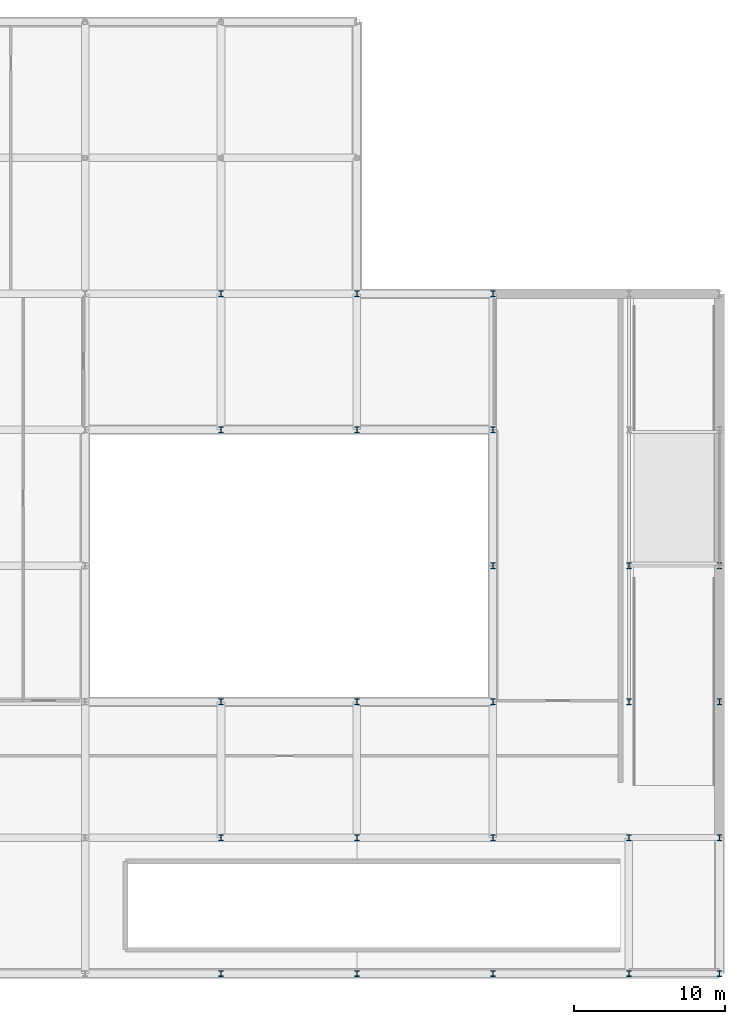
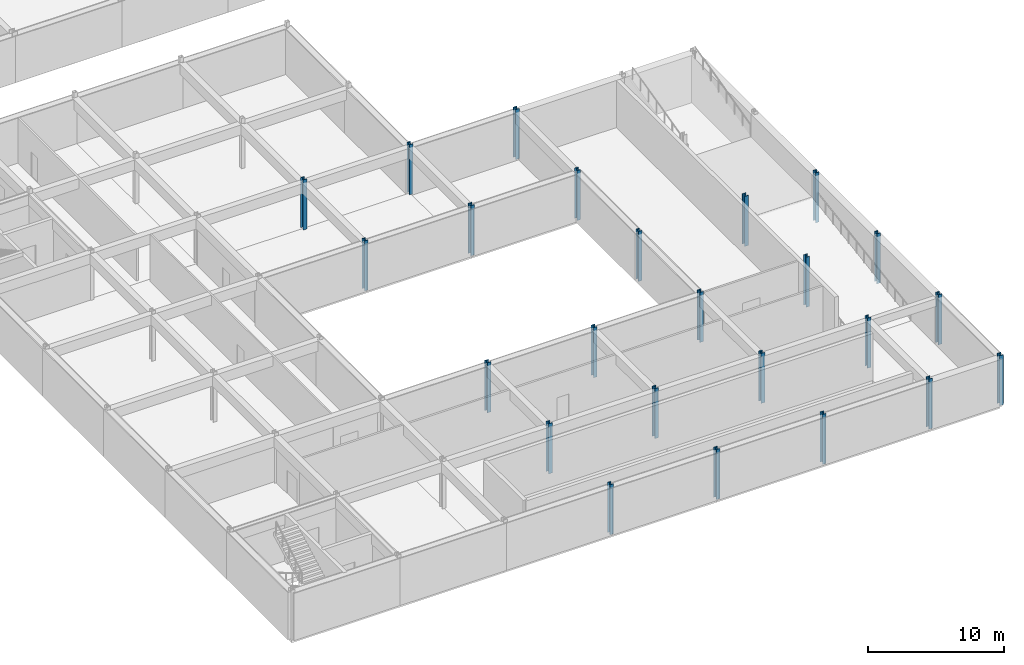
# One storey, part 11 of 35: 24 columns.
"""IFC4 building model written with IfcOpenShell, lengths in metres."""

from ifc_helpers import new_model, si_unit, direction, frame, origin, origin_2d, place, context, subcontext, project, spatial, i_section, extrude, material, material_profile, profile_set, type_object, element, save


model = new_model("IFC4")

# Units and contexts
model_context = context("Model", 3, precision=1e-05, world=origin(), true_north=direction((0.0, 1.0)))
body_context = subcontext(model_context, "Body", "Model", "MODEL_VIEW")
ifc_project = project(units=[si_unit("LENGTHUNIT", "METRE"), si_unit("AREAUNIT", "SQUARE_METRE"), si_unit("VOLUMEUNIT", "CUBIC_METRE"), si_unit("PLANEANGLEUNIT", "RADIAN"), si_unit("MASSUNIT", "GRAM", prefix="KILO")], contexts=[model_context])

# Site, building, storey
site_placement = place(None, origin())
site = spatial("IfcSite", under=ifc_project, at=site_placement, CompositionType="ELEMENT")
building_placement = place(site_placement, origin())
building = spatial("IfcBuilding", under=site, at=building_placement, Name="Palais des Congres Ocreval", CompositionType="ELEMENT")
storey_placement = place(building_placement, frame((0.0, 0.0, -4.47998046875)))
storey = spatial("IfcBuildingStorey", under=building, at=storey_placement, Name="B1", CompositionType="ELEMENT", Elevation=-4.47998046875)

# Columns
ifc_material = material(Name="Steel S355", Category="steel")
ifc_material_profile = material_profile(ifc_material, i_section(OverallWidth=0.30810546875, OverallDepth=0.39501953125, WebThickness=0.02099609375, FlangeThickness=0.0400390625, at=origin_2d()), Name="HEM 360")
ifc_profile_set = profile_set([ifc_material_profile], Name="Steel S355")
column_type = type_object("IfcColumnType", Name="Column HEM 360 Steel S355", PredefinedType="COLUMN", material=ifc_profile_set)
for number, where, z_axis, x_axis, name in (
    (1, (135.0, 0.0, 0.0), (0.0, 0.0, 1.0), (1.0, 0.0, 0.0), "Column C07 B1"),
    (2, (135.0, 9.0, 0.0), (0.0, 0.0, 1.0), (1.0, 0.0, 0.0), "Column C07 B1"),
    (3, (135.0, 18.0, 0.0), (0.0, 0.0, 1.0), (1.0, 0.0, 0.0), "Column C07 B1"),
    (4, (135.0, 36.0, 0.0), (0.0, 0.0, 1.0), (1.0, 0.0, 0.0), "Column C07 B1"),
    (5, (135.0, 45.0, 0.0), (0.0, 0.0, 1.0), (1.0, 0.0, 0.0), "Column C07 B1"),
    (6, (144.0, 0.0, 0.0), (0.0, 0.0, 1.0), (1.0, 0.0, 0.0), "Column C07 B1"),
    (7, (144.0, 9.0, 0.0), (0.0, 0.0, 1.0), (1.0, 0.0, 0.0), "Column C07 B1"),
    (8, (144.0, 18.0, 0.0), (0.0, 0.0, 1.0), (1.0, 0.0, 0.0), "Column C07 B1"),
    (9, (144.0, 36.0, 0.0), (0.0, 0.0, 1.0), (1.0, 0.0, 0.0), "Column C07 B1"),
    (10, (144.0, 45.0, 0.0), (0.0, 0.0, 1.0), (1.0, 0.0, 0.0), "Column C07 B1"),
    (11, (153.0, 0.0, 0.0), (0.0, 0.0, 1.0), (1.0, 0.0, 0.0), "Column C07 B1"),
    (12, (153.0, 9.0, 0.0), (0.0, 0.0, 1.0), (1.0, 0.0, 0.0), "Column C07 B1"),
    (13, (153.0, 18.0, 0.0), (0.0, 0.0, 1.0), (1.0, 0.0, 0.0), "Column C07 B1"),
    (14, (153.0, 27.0, 0.0), (0.0, 0.0, 1.0), (1.0, 0.0, 0.0), "Column C07 B1"),
    (15, (153.0, 36.0, 0.0), (0.0, 0.0, 1.0), (1.0, 0.0, 0.0), "Column C07 B1"),
    (16, (153.0, 45.0, 0.0), (0.0, 0.0, 1.0), (1.0, 0.0, 0.0), "Column C07 B1"),
    (17, (162.0, 0.0, 0.0), (0.0, 0.0, 1.0), (1.0, 0.0, 0.0), "Column C07 B1"),
    (18, (162.0, 9.0, 0.0), (0.0, 0.0, 1.0), (1.0, 0.0, 0.0), "Column C07 B1"),
    (19, (162.0, 18.0, 0.0), (0.0, 0.0, 1.0), (1.0, 0.0, 0.0), "Column C07 B1"),
    (20, (162.0, 27.0, 0.0), (0.0, 0.0, 1.0), (1.0, 0.0, 0.0), "Column C07 B1"),
    (21, (168.0, 0.0, 0.0), (0.0, 0.0, 1.0), (1.0, 0.0, 0.0), "Column C07 B1"),
    (22, (168.0, 9.0, 0.0), (0.0, 0.0, 1.0), (1.0, 0.0, 0.0), "Column C07 B1"),
    (23, (168.0, 18.0, 0.0), (0.0, 0.0, 1.0), (1.0, 0.0, 0.0), "Column C07 B1"),
    (24, (168.0, 27.0, 0.0), (0.0, 0.0, 1.0), (1.0, 0.0, 0.0), "Column C07 B1"),
):
    element("IfcColumn", number, at=place(storey_placement, frame(where, z_axis=z_axis, x_axis=x_axis)), inside=storey, type_object=column_type, Name=name, PredefinedType="COLUMN", context=body_context, shape_type="SweptSolid", body=[
        extrude(i_section(OverallWidth=0.30810546875, OverallDepth=0.39501953125, WebThickness=0.02099609375, FlangeThickness=0.0400390625, at=origin_2d()), origin(), (0.0, 0.0, 1.0), 4.47998046875),
    ])

save(model, "model.ifc")
